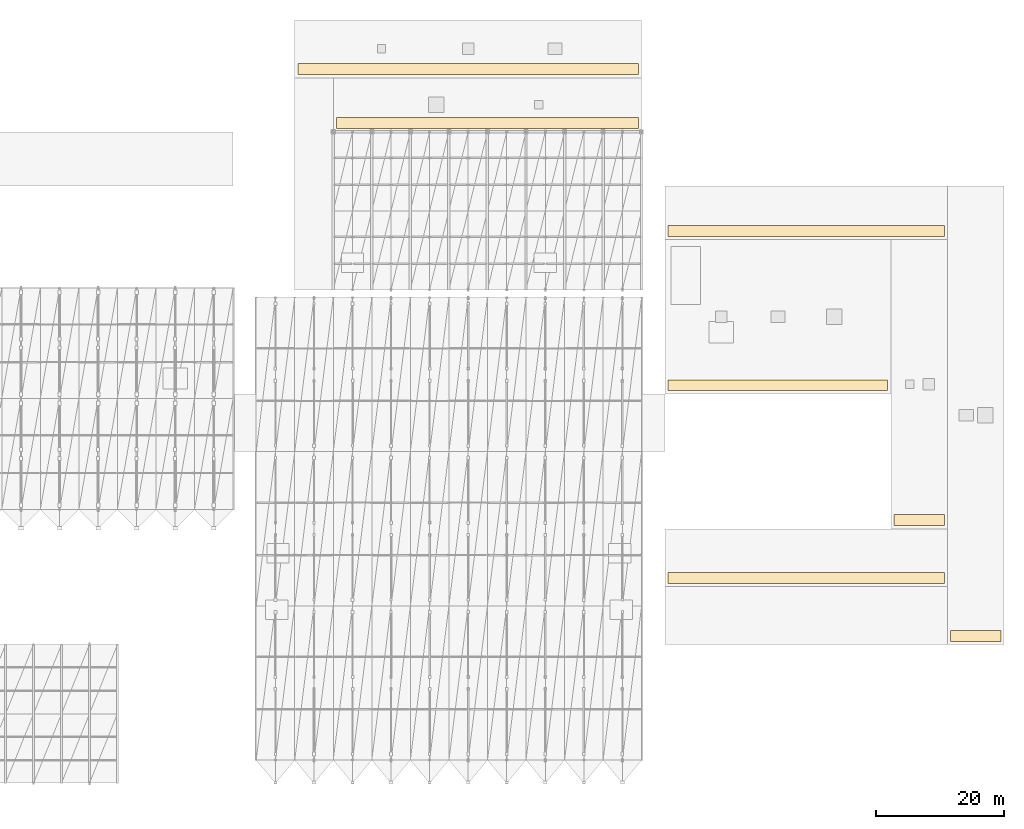
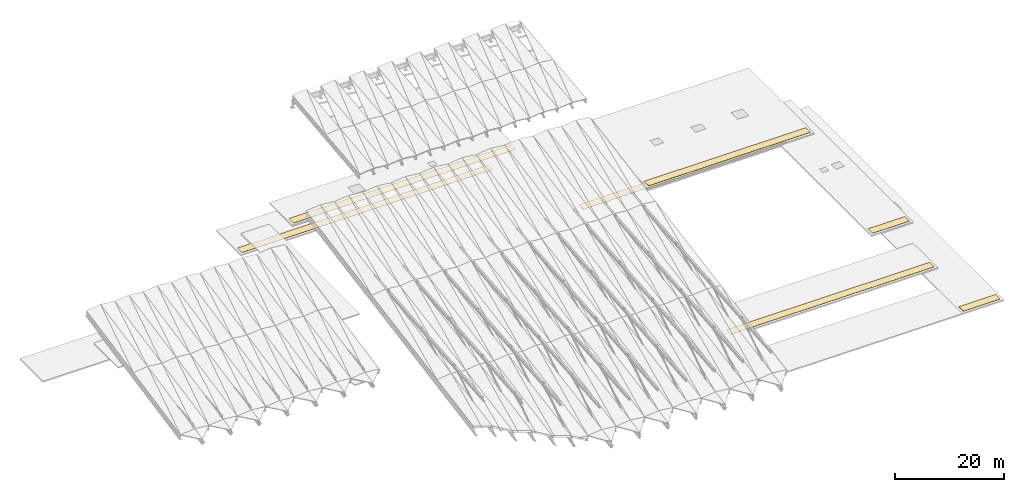
# One storey, part 52 of 52: 7 coverings.
"""IFC4 building model written with IfcOpenShell, lengths in metres."""

import ifcopenshell
import ifcopenshell.guid

model = None  # the IFC model being written
_history = None  # IfcOwnerHistory: only IFC2X3 demands one
_inside = {}  # id of a spatial element -> (the spatial element, [elements in it])
_under = {}  # id of a project, library or spatial element -> (it, [spatial elements below it])
_declared = {}  # id of a project -> (the project, [libraries it declares])
_typed = {}  # id of a type object -> (the type object, [elements of that type])
_made_of = {}  # id of a material, layer set ... -> (it, [elements and type objects made of it])


def new_model(schema):
    """Start an empty IFC model of exactly this schema.

    Asked for "IFC4X3", IfcOpenShell would pick the latest addendum, in which some entities
    have other attributes; the version numbers below select the first issue.
    IFC2X3 requires an IfcOwnerHistory on every rooted entity: one is made here for all.
    """
    global model, _history
    if schema == "IFC4X3":
        model = ifcopenshell.file(schema_version=(4, 3, 0, 0))
    else:
        model = ifcopenshell.file(schema=schema)
    _inside.clear()
    _under.clear()
    _declared.clear()
    _typed.clear()
    _made_of.clear()
    _history = None
    if model.schema == "IFC2X3":
        org = make("IfcOrganization", Name="unknown")
        user = make(
            "IfcPersonAndOrganization",
            ThePerson=make("IfcPerson", FamilyName="unknown"),
            TheOrganization=org,
        )
        app = make(
            "IfcApplication",
            ApplicationDeveloper=org,
            Version="unknown",
            ApplicationFullName="unknown",
            ApplicationIdentifier="unknown",
        )
        _history = make(
            "IfcOwnerHistory",
            OwningUser=user,
            OwningApplication=app,
            ChangeAction="ADDED",
            CreationDate=0,
        )
    return model


def make(cls, **values):
    """One entity of the class cls with the attributes given. An attribute that is None is left unset."""
    return model.create_entity(
        cls, **{name: value for name, value in values.items() if value is not None}
    )


def rooted(cls, **values):
    """An entity with a GlobalId (a new one), such as an element, a storey or a relation."""
    return make(cls, GlobalId=ifcopenshell.guid.new(), OwnerHistory=_history, **values)


def si_unit(unit_type, name, prefix=None):
    """IfcSIUnit, for example si_unit("LENGTHUNIT", "METRE", prefix="MILLI")."""
    return make("IfcSIUnit", UnitType=unit_type, Prefix=prefix, Name=name)


def assignment(units):
    """IfcUnitAssignment: the units of a project."""
    return None if units is None else make("IfcUnitAssignment", Units=units)


def point(xyz):
    """IfcCartesianPoint."""
    return None if xyz is None else make("IfcCartesianPoint", Coordinates=xyz)


def direction(xyz):
    """IfcDirection."""
    return None if xyz is None else make("IfcDirection", DirectionRatios=xyz)


def frame(location, z_axis=None, x_axis=None):
    """IfcAxis2Placement3D, a coordinate frame: its origin and axes. An axis left out is left unset."""
    return make(
        "IfcAxis2Placement3D",
        Location=point(location),
        Axis=direction(z_axis),
        RefDirection=direction(x_axis),
    )


def origin():
    """The frame at (0, 0, 0) with its axes left unset."""
    return frame((0.0, 0.0, 0.0))


def place(relative_to, where):
    """IfcLocalPlacement: puts the frame where relative to a parent placement (None: the world)."""
    return make(
        "IfcLocalPlacement", PlacementRelTo=relative_to, RelativePlacement=where
    )


def context(
    kind, dimensions, precision=None, world=None, true_north=None, identifier=None
):
    """IfcGeometricRepresentationContext, for example the 3D "Model" context."""
    return make(
        "IfcGeometricRepresentationContext",
        ContextIdentifier=identifier,
        ContextType=kind,
        CoordinateSpaceDimension=dimensions,
        Precision=precision,
        WorldCoordinateSystem=world,
        TrueNorth=true_north,
    )


def subcontext(parent, identifier, kind, view, scale=None):
    """IfcGeometricRepresentationSubContext, for example "Body" below "Model"."""
    return make(
        "IfcGeometricRepresentationSubContext",
        ContextIdentifier=identifier,
        ContextType=kind,
        ParentContext=parent,
        TargetScale=scale,
        TargetView=view,
    )


def project(units=None, contexts=None):
    """IfcProject with its units and contexts."""
    return rooted(
        "IfcProject",
        Name="project",
        RepresentationContexts=contexts,
        UnitsInContext=assignment(units),
    )


def spatial(cls, under=None, at=None, **own):
    """A site, building, storey or space (cls), placed at a placement, below another one or the project."""
    s = rooted(cls, ObjectPlacement=at, **own)
    if under is not None:
        _under.setdefault(under.id(), (under, []))[1].append(s)
    return s


def polyline(points):
    """IfcPolyline through the points."""
    return make("IfcPolyline", Points=[point(p) for p in points])


def outline(outer, holes=None, kind="AREA"):
    """IfcArbitraryClosedProfileDef: a profile drawn as a closed curve; with holes, ...WithVoids."""
    if holes is None:
        return make("IfcArbitraryClosedProfileDef", ProfileType=kind, OuterCurve=outer)
    return make(
        "IfcArbitraryProfileDefWithVoids",
        ProfileType=kind,
        OuterCurve=outer,
        InnerCurves=holes,
    )


def extrude(swept, where, along, depth):
    """IfcExtrudedAreaSolid: the profile swept, set in the frame where, extruded along a direction by depth."""
    return make(
        "IfcExtrudedAreaSolid",
        SweptArea=swept,
        Position=where,
        ExtrudedDirection=direction(along),
        Depth=depth,
    )


def shape(context_of_items, identifier, shape_type, items):
    """IfcShapeRepresentation: the items that make up one representation, for example the "Body"."""
    return make(
        "IfcShapeRepresentation",
        ContextOfItems=context_of_items,
        RepresentationIdentifier=identifier,
        RepresentationType=shape_type,
        Items=items,
    )


def material(Name=None, Category=None):
    """IfcMaterial."""
    return make("IfcMaterial", Name=Name, Category=Category)


def layer(
    of_material, thickness, ventilated=None, Name=None, Category=None, Priority=None
):
    """IfcMaterialLayer: one layer of a wall or slab, of a material (None: an air gap)."""
    return make(
        "IfcMaterialLayer",
        Material=of_material,
        LayerThickness=thickness,
        IsVentilated=ventilated,
        Name=Name,
        Category=Category,
        Priority=Priority,
    )


def layer_set(layers, Name=None):
    """IfcMaterialLayerSet."""
    return make("IfcMaterialLayerSet", MaterialLayers=layers, LayerSetName=Name)


def made_of(thing, what):
    """Note that an element or type object is made of a material, layer set ...; save() writes the relation."""
    if what is not None:
        _made_of.setdefault(what.id(), (what, []))[1].append(thing)
    return thing


def type_object(cls, material=None, **own):
    """A type object (cls), such as IfcWallType, which elements share."""
    return made_of(rooted(cls, **own), material)


def element(
    cls,
    number,
    at=None,
    inside=None,
    cuts=None,
    type_object=None,
    material=None,
    context=None,
    identifier="Body",
    shape_type=None,
    held_by="IfcProductDefinitionShape",
    body=None,
    shapes=None,
    **own,
):
    """One element of the class cls, such as IfcWall. Its Tag is "e" and its number.

    at: its placement. inside: the storey or other place that contains it. cuts: it is an
    opening in that element (IfcRelVoidsElement). A single representation is given by context,
    identifier, shape_type and body (its items); several are given by shapes. held_by: the class
    of the entity that holds the representations. save() writes the other relations.
    """
    e = rooted(cls, Tag="e%d" % number, ObjectPlacement=at, **own)
    if body is not None:
        shapes = [shape(context, identifier, shape_type, body)]
    if shapes is not None:
        e.Representation = make(held_by, Representations=shapes)
    if inside is not None:
        _inside.setdefault(inside.id(), (inside, []))[1].append(e)
    if cuts is not None:
        rooted(
            "IfcRelVoidsElement", RelatingBuildingElement=cuts, RelatedOpeningElement=e
        )
    if type_object is not None:
        _typed.setdefault(type_object.id(), (type_object, []))[1].append(e)
    return made_of(e, material)


def aggregate(whole, parts):
    """IfcRelAggregates: a whole, such as a stair, and the parts it consists of."""
    return rooted("IfcRelAggregates", RelatingObject=whole, RelatedObjects=parts)


def save(model, path):
    """Write the relations noted so far, then the file.

    IfcRelAggregates (storeys below a building ...), IfcRelContainedInSpatialStructure (elements
    in a storey), IfcRelDefinesByType, IfcRelAssociatesMaterial and IfcRelDeclares: one each for
    every whole, place, type object, material and project.
    """
    for whole, parts in _under.values():
        aggregate(whole, parts)
    for where, things in _inside.values():
        rooted(
            "IfcRelContainedInSpatialStructure",
            RelatedElements=things,
            RelatingStructure=where,
        )
    for kind, things in _typed.values():
        rooted("IfcRelDefinesByType", RelatedObjects=things, RelatingType=kind)
    for what, things in _made_of.values():
        rooted("IfcRelAssociatesMaterial", RelatedObjects=things, RelatingMaterial=what)
    for by, libraries in _declared.values():
        rooted("IfcRelDeclares", RelatingContext=by, RelatedDefinitions=libraries)
    model.write(path)


model = new_model("IFC4")

# Units and contexts
model_context = context("Model", 3, precision=1e-05, world=origin(), true_north=direction((0.0, 1.0)))
body_context = subcontext(model_context, "Body", "Model", "MODEL_VIEW")
ifc_project = project(units=[si_unit("LENGTHUNIT", "METRE"), si_unit("AREAUNIT", "SQUARE_METRE"), si_unit("VOLUMEUNIT", "CUBIC_METRE"), si_unit("PLANEANGLEUNIT", "RADIAN"), si_unit("MASSUNIT", "GRAM", prefix="KILO")], contexts=[model_context])

# Site, building, storey
site_placement = place(None, origin())
site = spatial("IfcSite", under=ifc_project, at=site_placement, CompositionType="ELEMENT")
building_placement = place(site_placement, origin())
building = spatial("IfcBuilding", under=site, at=building_placement, Name="Vaelkrest Opera House", CompositionType="ELEMENT")
storey_placement = place(building_placement, frame((0.0, 0.0, 41.39990234375)))
storey = spatial("IfcBuildingStorey", under=building, at=storey_placement, Name="ROOF", CompositionType="ELEMENT", Elevation=41.39990234375)

# Coverings
ifc_material = material(Name="Standing-seam pre-weathered zinc", Category="metal")
ifc_layer = layer(ifc_material, 0.034912109375)
ifc_layer_set = layer_set([ifc_layer], Name="Standing-seam pre-weathered zinc")
covering_type = type_object("IfcCoveringType", Name="COV-RF01", PredefinedType="ROOFING", material=ifc_layer_set)
covering_1_placement = place(storey_placement, frame((0.0, 0.0, -11.39990234375)))
element("IfcCovering", 1, at=covering_1_placement, inside=storey, type_object=covering_type, Name="Pre-weathered zinc roofing SLB-ROOF-V4-MAIN", PredefinedType="ROOFING", context=body_context, shape_type="SweptSolid", body=[
    extrude(outline(polyline([(34.10009765625, 1.699951171875), (68.300048828125, 1.699951171875), (68.300048828125, 3.39990234375), (34.10009765625, 3.39990234375), (34.10009765625, 1.699951171875)])), origin(), (0.0, 0.0, 1.0), 0.034912109375),
])
covering_2_placement = place(storey_placement, frame((0.0, 0.0, -21.599853515625)))
element("IfcCovering", 2, at=covering_2_placement, inside=storey, type_object=covering_type, Name="Pre-weathered zinc roofing SLB-ROOF-V4-MID", PredefinedType="ROOFING", context=body_context, shape_type="SweptSolid", body=[
    extrude(outline(polyline([(69.300048828125, -19.300048828125), (77.10009765625, -19.300048828125), (77.10009765625, -17.60009765625), (69.300048828125, -17.60009765625), (69.300048828125, -19.300048828125)])), origin(), (0.0, 0.0, 1.0), 0.034912109375),
])
covering_3_placement = place(storey_placement, frame((0.0, 0.0, -31.199951171875)))
element("IfcCovering", 3, at=covering_3_placement, inside=storey, type_object=covering_type, Name="Pre-weathered zinc roofing SLB-ROOF-V4-LOW", PredefinedType="ROOFING", context=body_context, shape_type="SweptSolid", body=[
    extrude(outline(polyline([(78.10009765625, -37.300048828125), (85.89990234375, -37.300048828125), (85.89990234375, -35.60009765625), (78.10009765625, -35.60009765625), (78.10009765625, -37.300048828125)])), origin(), (0.0, 0.0, 1.0), 0.03515625),
])
covering_4_placement = place(storey_placement, frame((0.0, 0.0, -31.199951171875)))
element("IfcCovering", 4, at=covering_4_placement, inside=storey, type_object=covering_type, Name="Pre-weathered zinc roofing SLB-ROOF-V4-NOR", PredefinedType="ROOFING", context=body_context, shape_type="SweptSolid", body=[
    extrude(outline(polyline([(34.10009765625, 25.699951171875), (77.10009765625, 25.699951171875), (77.10009765625, 27.39990234375), (34.10009765625, 27.39990234375), (34.10009765625, 25.699951171875)])), origin(), (0.0, 0.0, 1.0), 0.03515625),
])
covering_5_placement = place(storey_placement, frame((0.0, 0.0, -26.39990234375)))
element("IfcCovering", 5, at=covering_5_placement, inside=storey, type_object=covering_type, Name="Pre-weathered zinc roofing SLB-ROOF-V4-S15", PredefinedType="ROOFING", context=body_context, shape_type="SweptSolid", body=[
    extrude(outline(polyline([(34.10009765625, -28.300048828125), (77.10009765625, -28.300048828125), (77.10009765625, -26.60009765625), (34.10009765625, -26.60009765625), (34.10009765625, -28.300048828125)])), origin(), (0.0, 0.0, 1.0), 0.034912109375),
])
covering_6_placement = place(storey_placement, frame((0.0, 0.0, -36.0)))
element("IfcCovering", 6, at=covering_6_placement, inside=storey, type_object=covering_type, Name="Pre-weathered zinc roofing SLB-ROOF-V2-REAR", PredefinedType="ROOFING", context=body_context, shape_type="SweptSolid", body=[
    extrude(outline(polyline([(-23.5, 50.89990234375), (29.5, 50.89990234375), (29.5, 52.60009765625), (-23.5, 52.60009765625), (-23.5, 50.89990234375)])), origin(), (0.0, 0.0, 1.0), 0.03515625),
])
covering_7_placement = place(storey_placement, frame((0.0, 0.0, -26.39990234375)))
element("IfcCovering", 7, at=covering_7_placement, inside=storey, type_object=covering_type, Name="Pre-weathered zinc roofing SLB-ROOF-V2-NORTH", PredefinedType="ROOFING", context=body_context, shape_type="SweptSolid", body=[
    extrude(outline(polyline([(-17.5, 42.5), (29.5, 42.5), (29.5, 44.199951171875), (-17.5, 44.199951171875), (-17.5, 42.5)])), origin(), (0.0, 0.0, 1.0), 0.034912109375),
])

save(model, "model.ifc")
